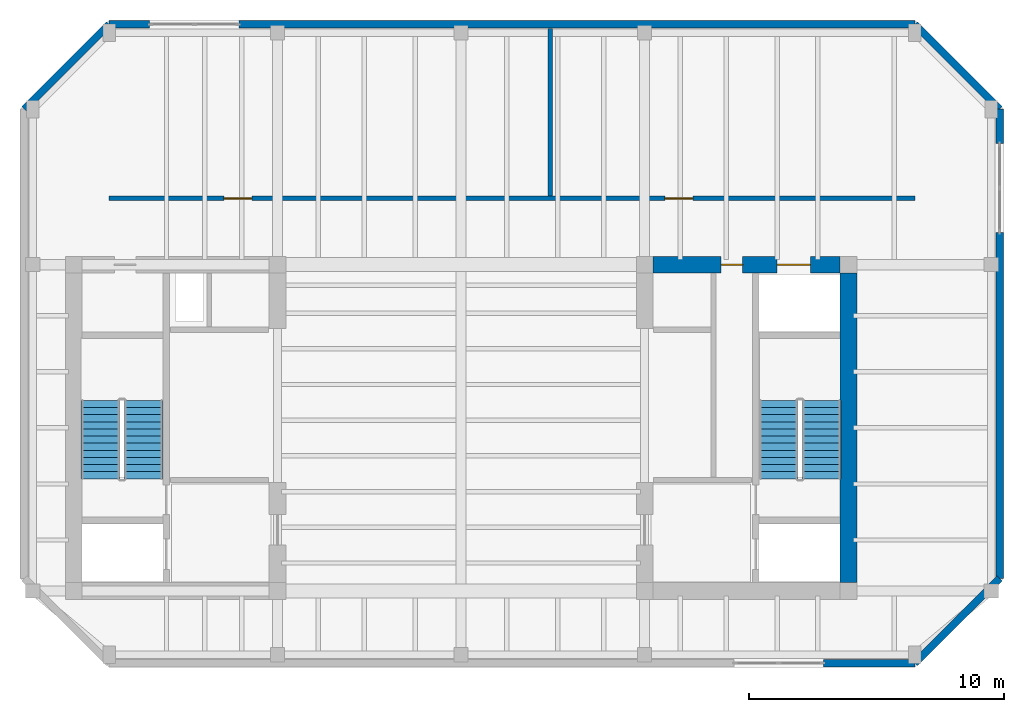
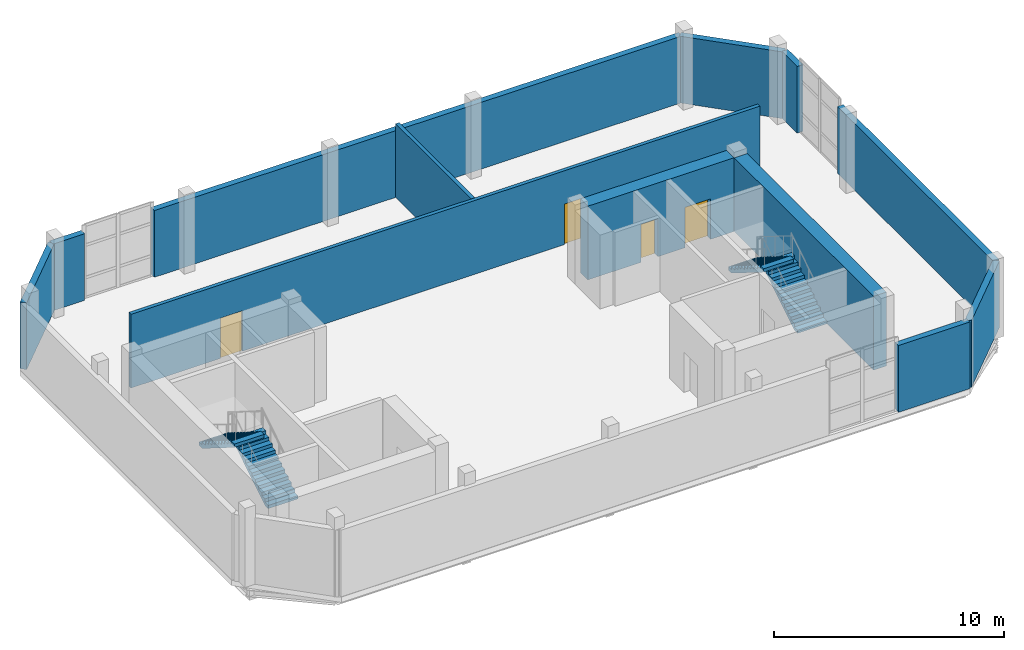
# One storey, part 6 of 7: 12 walls, 4 doors, 4 stair flights, 4 openings, 2 elements without a shape of their own.
"""IFC4 building model written with IfcOpenShell, lengths in metres."""

import ifcopenshell
import ifcopenshell.guid

model = None  # the IFC model being written
_history = None  # IfcOwnerHistory: only IFC2X3 demands one
_inside = {}  # id of a spatial element -> (the spatial element, [elements in it])
_under = {}  # id of a project, library or spatial element -> (it, [spatial elements below it])
_declared = {}  # id of a project -> (the project, [libraries it declares])
_typed = {}  # id of a type object -> (the type object, [elements of that type])
_made_of = {}  # id of a material, layer set ... -> (it, [elements and type objects made of it])


def new_model(schema):
    """Start an empty IFC model of exactly this schema.

    Asked for "IFC4X3", IfcOpenShell would pick the latest addendum, in which some entities
    have other attributes; the version numbers below select the first issue.
    IFC2X3 requires an IfcOwnerHistory on every rooted entity: one is made here for all.
    """
    global model, _history
    if schema == "IFC4X3":
        model = ifcopenshell.file(schema_version=(4, 3, 0, 0))
    else:
        model = ifcopenshell.file(schema=schema)
    _inside.clear()
    _under.clear()
    _declared.clear()
    _typed.clear()
    _made_of.clear()
    _history = None
    if model.schema == "IFC2X3":
        org = make("IfcOrganization", Name="unknown")
        user = make(
            "IfcPersonAndOrganization",
            ThePerson=make("IfcPerson", FamilyName="unknown"),
            TheOrganization=org,
        )
        app = make(
            "IfcApplication",
            ApplicationDeveloper=org,
            Version="unknown",
            ApplicationFullName="unknown",
            ApplicationIdentifier="unknown",
        )
        _history = make(
            "IfcOwnerHistory",
            OwningUser=user,
            OwningApplication=app,
            ChangeAction="ADDED",
            CreationDate=0,
        )
    return model


def make(cls, **values):
    """One entity of the class cls with the attributes given. An attribute that is None is left unset."""
    return model.create_entity(
        cls, **{name: value for name, value in values.items() if value is not None}
    )


def rooted(cls, **values):
    """An entity with a GlobalId (a new one), such as an element, a storey or a relation."""
    return make(cls, GlobalId=ifcopenshell.guid.new(), OwnerHistory=_history, **values)


def si_unit(unit_type, name, prefix=None):
    """IfcSIUnit, for example si_unit("LENGTHUNIT", "METRE", prefix="MILLI")."""
    return make("IfcSIUnit", UnitType=unit_type, Prefix=prefix, Name=name)


def assignment(units):
    """IfcUnitAssignment: the units of a project."""
    return None if units is None else make("IfcUnitAssignment", Units=units)


def point(xyz):
    """IfcCartesianPoint."""
    return None if xyz is None else make("IfcCartesianPoint", Coordinates=xyz)


def direction(xyz):
    """IfcDirection."""
    return None if xyz is None else make("IfcDirection", DirectionRatios=xyz)


def frame(location, z_axis=None, x_axis=None):
    """IfcAxis2Placement3D, a coordinate frame: its origin and axes. An axis left out is left unset."""
    return make(
        "IfcAxis2Placement3D",
        Location=point(location),
        Axis=direction(z_axis),
        RefDirection=direction(x_axis),
    )


def frame_2d(location, x_axis=None):
    """IfcAxis2Placement2D, a coordinate frame in the plane: its origin and x axis."""
    return make(
        "IfcAxis2Placement2D", Location=point(location), RefDirection=direction(x_axis)
    )


def origin():
    """The frame at (0, 0, 0) with its axes left unset."""
    return frame((0.0, 0.0, 0.0))


def place(relative_to, where):
    """IfcLocalPlacement: puts the frame where relative to a parent placement (None: the world)."""
    return make(
        "IfcLocalPlacement", PlacementRelTo=relative_to, RelativePlacement=where
    )


def context(
    kind, dimensions, precision=None, world=None, true_north=None, identifier=None
):
    """IfcGeometricRepresentationContext, for example the 3D "Model" context."""
    return make(
        "IfcGeometricRepresentationContext",
        ContextIdentifier=identifier,
        ContextType=kind,
        CoordinateSpaceDimension=dimensions,
        Precision=precision,
        WorldCoordinateSystem=world,
        TrueNorth=true_north,
    )


def subcontext(parent, identifier, kind, view, scale=None):
    """IfcGeometricRepresentationSubContext, for example "Body" below "Model"."""
    return make(
        "IfcGeometricRepresentationSubContext",
        ContextIdentifier=identifier,
        ContextType=kind,
        ParentContext=parent,
        TargetScale=scale,
        TargetView=view,
    )


def project(units=None, contexts=None):
    """IfcProject with its units and contexts."""
    return rooted(
        "IfcProject",
        Name="project",
        RepresentationContexts=contexts,
        UnitsInContext=assignment(units),
    )


def spatial(cls, under=None, at=None, **own):
    """A site, building, storey or space (cls), placed at a placement, below another one or the project."""
    s = rooted(cls, ObjectPlacement=at, **own)
    if under is not None:
        _under.setdefault(under.id(), (under, []))[1].append(s)
    return s


def polyline(points):
    """IfcPolyline through the points."""
    return make("IfcPolyline", Points=[point(p) for p in points])


def profile(cls, at=None, kind="AREA", **sizes):
    """A parametric profile (cls). Its sizes go by their IFC names, for example OverallWidth=200.0."""
    return make(cls, ProfileType=kind, Position=at, **sizes)


def rectangle(**sizes):
    """IfcRectangleProfileDef."""
    return profile("IfcRectangleProfileDef", **sizes)


def outline(outer, holes=None, kind="AREA"):
    """IfcArbitraryClosedProfileDef: a profile drawn as a closed curve; with holes, ...WithVoids."""
    if holes is None:
        return make("IfcArbitraryClosedProfileDef", ProfileType=kind, OuterCurve=outer)
    return make(
        "IfcArbitraryProfileDefWithVoids",
        ProfileType=kind,
        OuterCurve=outer,
        InnerCurves=holes,
    )


def extrude(swept, where, along, depth):
    """IfcExtrudedAreaSolid: the profile swept, set in the frame where, extruded along a direction by depth."""
    return make(
        "IfcExtrudedAreaSolid",
        SweptArea=swept,
        Position=where,
        ExtrudedDirection=direction(along),
        Depth=depth,
    )


def shape(context_of_items, identifier, shape_type, items):
    """IfcShapeRepresentation: the items that make up one representation, for example the "Body"."""
    return make(
        "IfcShapeRepresentation",
        ContextOfItems=context_of_items,
        RepresentationIdentifier=identifier,
        RepresentationType=shape_type,
        Items=items,
    )


def material(Name=None, Category=None):
    """IfcMaterial."""
    return make("IfcMaterial", Name=Name, Category=Category)


def layer(
    of_material, thickness, ventilated=None, Name=None, Category=None, Priority=None
):
    """IfcMaterialLayer: one layer of a wall or slab, of a material (None: an air gap)."""
    return make(
        "IfcMaterialLayer",
        Material=of_material,
        LayerThickness=thickness,
        IsVentilated=ventilated,
        Name=Name,
        Category=Category,
        Priority=Priority,
    )


def layer_set(layers, Name=None):
    """IfcMaterialLayerSet."""
    return make("IfcMaterialLayerSet", MaterialLayers=layers, LayerSetName=Name)


def made_of(thing, what):
    """Note that an element or type object is made of a material, layer set ...; save() writes the relation."""
    if what is not None:
        _made_of.setdefault(what.id(), (what, []))[1].append(thing)
    return thing


def type_object(cls, material=None, **own):
    """A type object (cls), such as IfcWallType, which elements share."""
    return made_of(rooted(cls, **own), material)


def element(
    cls,
    number,
    at=None,
    inside=None,
    cuts=None,
    type_object=None,
    material=None,
    context=None,
    identifier="Body",
    shape_type=None,
    held_by="IfcProductDefinitionShape",
    body=None,
    shapes=None,
    **own,
):
    """One element of the class cls, such as IfcWall. Its Tag is "e" and its number.

    at: its placement. inside: the storey or other place that contains it. cuts: it is an
    opening in that element (IfcRelVoidsElement). A single representation is given by context,
    identifier, shape_type and body (its items); several are given by shapes. held_by: the class
    of the entity that holds the representations. save() writes the other relations.
    """
    e = rooted(cls, Tag="e%d" % number, ObjectPlacement=at, **own)
    if body is not None:
        shapes = [shape(context, identifier, shape_type, body)]
    if shapes is not None:
        e.Representation = make(held_by, Representations=shapes)
    if inside is not None:
        _inside.setdefault(inside.id(), (inside, []))[1].append(e)
    if cuts is not None:
        rooted(
            "IfcRelVoidsElement", RelatingBuildingElement=cuts, RelatedOpeningElement=e
        )
    if type_object is not None:
        _typed.setdefault(type_object.id(), (type_object, []))[1].append(e)
    return made_of(e, material)


def fill(opening, filler):
    """IfcRelFillsElement: the door or window that sits in an opening."""
    return rooted(
        "IfcRelFillsElement",
        RelatingOpeningElement=opening,
        RelatedBuildingElement=filler,
    )


def aggregate(whole, parts):
    """IfcRelAggregates: a whole, such as a stair, and the parts it consists of."""
    return rooted("IfcRelAggregates", RelatingObject=whole, RelatedObjects=parts)


def save(model, path):
    """Write the relations noted so far, then the file.

    IfcRelAggregates (storeys below a building ...), IfcRelContainedInSpatialStructure (elements
    in a storey), IfcRelDefinesByType, IfcRelAssociatesMaterial and IfcRelDeclares: one each for
    every whole, place, type object, material and project.
    """
    for whole, parts in _under.values():
        aggregate(whole, parts)
    for where, things in _inside.values():
        rooted(
            "IfcRelContainedInSpatialStructure",
            RelatedElements=things,
            RelatingStructure=where,
        )
    for kind, things in _typed.values():
        rooted("IfcRelDefinesByType", RelatedObjects=things, RelatingType=kind)
    for what, things in _made_of.values():
        rooted("IfcRelAssociatesMaterial", RelatedObjects=things, RelatingMaterial=what)
    for by, libraries in _declared.values():
        rooted("IfcRelDeclares", RelatingContext=by, RelatedDefinitions=libraries)
    model.write(path)


model = new_model("IFC4")

# Units and contexts
model_context = context("Model", 3, precision=1e-05, world=origin(), true_north=direction((0.0, 1.0)))
body_context = subcontext(model_context, "Body", "Model", "MODEL_VIEW")
ifc_project = project(units=[si_unit("LENGTHUNIT", "METRE"), si_unit("AREAUNIT", "SQUARE_METRE"), si_unit("VOLUMEUNIT", "CUBIC_METRE"), si_unit("PLANEANGLEUNIT", "RADIAN"), si_unit("MASSUNIT", "GRAM", prefix="KILO")], contexts=[model_context])

# Site, building, storey
site_placement = place(None, origin())
site = spatial("IfcSite", under=ifc_project, at=site_placement, CompositionType="ELEMENT")
building_placement = place(site_placement, origin())
building = spatial("IfcBuilding", under=site, at=building_placement, Name="Kranthara Brick Stack", CompositionType="ELEMENT")
storey_placement = place(building_placement, frame((0.0, 0.0, 304.800048828125)))
storey = spatial("IfcBuildingStorey", under=building, at=storey_placement, Name="L80", CompositionType="ELEMENT", Elevation=304.800048828125)

# Walls
ifc_material_1 = material(Name="Precast concrete C45/55", Category="concrete")
ifc_layer_1 = layer(ifc_material_1, 0.300048828125)
ifc_layer_set_1 = layer_set([ifc_layer_1], Name="Precast concrete C45/55")
wall_type_1 = type_object("IfcWallType", Name="WL-BRK-CRWN-300", PredefinedType="STANDARD", material=ifc_layer_set_1)
wall_1_placement = place(storey_placement, frame((45.800048828125, 17.969970703125, 0.0), z_axis=(0.0, 0.0, 1.0), x_axis=(-1.0, 0.0, 0.0)))
element("IfcWall", 1, at=wall_1_placement, inside=storey, type_object=wall_type_1, Name="L80 Exterior Brick Facade Wall SOUTH 1", PredefinedType="STANDARD", context=body_context, shape_type="SweptSolid", body=[
    extrude(rectangle(XDim=3.587158203125, YDim=0.300048828125, at=frame_2d((1.79345703125, 0.0))), origin(), (0.0, 0.0, 1.0), 3.544921875),
])
wall_2_placement = place(storey_placement, frame((10.8701171875, 39.699951171875, 0.0), z_axis=(0.0, 0.0, 1.0), x_axis=(0.707080859425, 0.707132701998, 0.0)))
element("IfcWall", 2, at=wall_2_placement, inside=storey, type_object=wall_type_1, Name="L80 Exterior Brick Facade Wall NW 1", PredefinedType="STANDARD", context=body_context, shape_type="SweptSolid", body=[
    extrude(rectangle(XDim=4.709228515625, YDim=0.300048828125, at=frame_2d((2.3544921875, 0.0))), origin(), (0.0, 0.0, 1.0), 3.544921875),
])
wall_3_placement = place(storey_placement, frame((14.199951171875, 43.030029296875, 0.0), z_axis=(0.0, 0.0, 1.0), x_axis=(1.0, 0.0, 0.0)))
element("IfcWall", 3, at=wall_3_placement, inside=storey, type_object=wall_type_1, Name="L80 Exterior Brick Facade Wall NORTH 1", PredefinedType="STANDARD", context=body_context, shape_type="SweptSolid", body=[
    extrude(rectangle(XDim=1.588134765625, YDim=0.300048828125, at=frame_2d((0.7939453125, 0.0))), origin(), (0.0, 0.0, 1.0), 3.544921875),
])
wall_4_placement = place(storey_placement, frame((19.2880859375, 43.030029296875, 0.0), z_axis=(0.0, 0.0, 1.0), x_axis=(1.0, 0.0, 0.0)))
element("IfcWall", 4, at=wall_4_placement, inside=storey, type_object=wall_type_1, Name="L80 Exterior Brick Facade Wall NORTH 2", PredefinedType="STANDARD", context=body_context, shape_type="SweptSolid", body=[
    extrude(rectangle(XDim=26.511962890625, YDim=0.300048828125, at=frame_2d((13.255859375, 0.0))), origin(), (0.0, 0.0, 1.0), 3.544921875),
])
wall_5_placement = place(storey_placement, frame((45.800048828125, 43.030029296875, 0.0), z_axis=(0.0, 0.0, 1.0), x_axis=(0.707080859425, -0.707132701998, 0.0)))
element("IfcWall", 5, at=wall_5_placement, inside=storey, type_object=wall_type_1, Name="L80 Exterior Brick Facade Wall NE 1", PredefinedType="STANDARD", context=body_context, shape_type="SweptSolid", body=[
    extrude(rectangle(XDim=4.709228515625, YDim=0.300048828125, at=frame_2d((2.3544921875, 0.0))), origin(), (0.0, 0.0, 1.0), 3.544921875),
])
wall_6_placement = place(storey_placement, frame((49.1298828125, 39.699951171875, 0.0), z_axis=(0.0, 0.0, 1.0), x_axis=(0.0, -1.0, 0.0)))
element("IfcWall", 6, at=wall_6_placement, inside=storey, type_object=wall_type_1, Name="L80 Exterior Brick Facade Wall EAST 1", PredefinedType="STANDARD", context=body_context, shape_type="SweptSolid", body=[
    extrude(rectangle(XDim=1.337890625, YDim=0.300048828125, at=frame_2d((0.6689453125, 0.0))), origin(), (0.0, 0.0, 1.0), 3.544921875),
])
wall_7_placement = place(storey_placement, frame((49.1298828125, 34.862060546875, 0.0), z_axis=(0.0, 0.0, 1.0), x_axis=(0.0, -1.0, 0.0)))
element("IfcWall", 7, at=wall_7_placement, inside=storey, type_object=wall_type_1, Name="L80 Exterior Brick Facade Wall EAST 2", PredefinedType="STANDARD", context=body_context, shape_type="SweptSolid", body=[
    extrude(rectangle(XDim=13.56201171875, YDim=0.300048828125, at=frame_2d((6.781005859375, 0.0))), origin(), (0.0, 0.0, 1.0), 3.544921875),
])
wall_8_placement = place(storey_placement, frame((49.1298828125, 21.300048828125, 0.0), z_axis=(0.0, 0.0, 1.0), x_axis=(-0.707080859425, -0.707132701998, 0.0)))
element("IfcWall", 8, at=wall_8_placement, inside=storey, type_object=wall_type_1, Name="L80 Exterior Brick Facade Wall SE 1", PredefinedType="STANDARD", context=body_context, shape_type="SweptSolid", body=[
    extrude(rectangle(XDim=4.709228515625, YDim=0.300048828125, at=frame_2d((2.3544921875, 0.0))), origin(), (0.0, 0.0, 1.0), 3.544921875),
])
ifc_material_2 = material(Name="Concrete C60/75", Category="concrete")
ifc_layer_2 = layer(ifc_material_2, 0.64990234375)
ifc_layer_set_2 = layer_set([ifc_layer_2], Name="Concrete C60/75")
wall_type_2 = type_object("IfcWallType", Name="WL-CORE-650", PredefinedType="SHEAR", material=ifc_layer_set_2)
wall_9_placement = place(storey_placement, frame((43.199951171875, 21.1298828125, 0.0), z_axis=(0.0, 0.0, 1.0), x_axis=(0.0, 1.0, 0.0)))
element("IfcWall", 9, at=wall_9_placement, inside=storey, type_object=wall_type_2, Name="L80 East Core Shear Wall East", PredefinedType="SHEAR", context=body_context, shape_type="SweptSolid", body=[
    extrude(rectangle(XDim=12.14013671875, YDim=0.64990234375, at=frame_2d((6.070068359375, 0.0))), origin(), (0.0, 0.0, 1.0), 3.919921875),
])

# Wall, openings, doors
wall_10_placement = place(storey_placement, frame((35.530029296875, 33.60009765625, 0.0), z_axis=(0.0, 0.0, 1.0), x_axis=(1.0, 0.0, 0.0)))
wall_10 = element("IfcWall", 10, at=wall_10_placement, inside=storey, type_object=wall_type_2, Name="L80 East Core Shear Wall North", PredefinedType="SHEAR", context=body_context, shape_type="SweptSolid", body=[
    extrude(rectangle(XDim=7.340087890625, YDim=0.64990234375, at=frame_2d((3.669921875, 0.0))), origin(), (0.0, 0.0, 1.0), 3.919921875),
])
opening_1_placement = place(wall_10_placement, frame((4.8701171875, 0.0, 0.0)))
opening_1 = element("IfcOpeningElement", 11, at=opening_1_placement, cuts=wall_10, Name="Opening LD03", PredefinedType="OPENING", context=body_context, shape_type="SweptSolid", body=[
    extrude(rectangle(XDim=1.300048828125, YDim=2.14990234375, at=frame_2d((0.64990234375, 1.074951171875))), frame((0.0, 0.3349609375, 0.0), z_axis=(0.0, -1.0, 0.0), x_axis=(1.0, 0.0, 0.0)), (0.0, 0.0, 1.0), 0.669921875),
])
opening_2_placement = place(wall_10_placement, frame((2.669921875, 0.0, 0.0)))
opening_2 = element("IfcOpeningElement", 12, at=opening_2_placement, cuts=wall_10, Name="Opening D10", PredefinedType="OPENING", context=body_context, shape_type="SweptSolid", body=[
    extrude(rectangle(XDim=0.85009765625, YDim=2.02001953125, at=frame_2d((0.425048828125, 1.010009765625))), frame((0.0, 0.3349609375, 0.0), z_axis=(0.0, -1.0, 0.0), x_axis=(1.0, 0.0, 0.0)), (0.0, 0.0, 1.0), 0.669921875),
])
ifc_material_3 = material(Name="Stainless steel sliding landing door", Category="steel")
door_type_1 = type_object("IfcDoorType", Name="DR-LD-SV1300", OperationType="DOUBLE_DOOR_SLIDING", PredefinedType="DOOR", material=ifc_material_3)
door_1_placement = place(opening_1_placement, origin())
door_1 = element("IfcDoor", 13, at=door_1_placement, inside=storey, type_object=door_type_1, Name="L80 Stretcher Service Lift SV-01 Landing Door", OperationType="DOUBLE_DOOR_SLIDING", OverallHeight=2.14990234375, OverallWidth=1.300048828125, PredefinedType="DOOR", context=body_context, shape_type="SweptSolid", body=[
    extrude(rectangle(XDim=1.300048828125, YDim=2.14990234375, at=frame_2d((0.64990234375, 1.074951171875))), frame((0.0, 0.02490234375, 0.0), z_axis=(0.0, -1.0, 0.0), x_axis=(1.0, 0.0, 0.0)), (0.0, 0.0, 1.0), 0.050048828125),
])
fill(opening_1, door_1)
ifc_material_4 = material(Name="Solid-core hardwood timber leaf in steel frame", Category="steel")
door_type_2 = type_object("IfcDoorType", Name="DR-RSR-850", OperationType="NOTDEFINED", PredefinedType="DOOR", material=ifc_material_4)
door_2_placement = place(opening_2_placement, origin())
door_2 = element("IfcDoor", 14, at=door_2_placement, inside=storey, type_object=door_type_2, Name="L80 East Core Service Room Door", OperationType="SINGLE_SWING_LEFT", OverallHeight=2.02001953125, OverallWidth=0.85009765625, PredefinedType="DOOR", context=body_context, shape_type="SweptSolid", body=[
    extrude(rectangle(XDim=0.85009765625, YDim=2.02001953125, at=frame_2d((0.425048828125, 1.010009765625))), frame((0.0, 0.02490234375, 0.0), z_axis=(0.0, -1.0, 0.0), x_axis=(1.0, 0.0, 0.0)), (0.0, 0.0, 1.0), 0.050048828125),
])
fill(opening_2, door_2)

ifc_material_5 = material(Name="Gypsum plasterboard on acoustic twin stud", Category="other")
ifc_layer_3 = layer(ifc_material_5, 0.179931640625)
ifc_layer_set_3 = layer_set([ifc_layer_3], Name="Gypsum plasterboard on acoustic twin stud")
wall_type_3 = type_object("IfcWallType", Name="WL-PART-180", PredefinedType="PARTITIONING", material=ifc_layer_set_3)
wall_11_placement = place(storey_placement, frame((14.199951171875, 36.199951171875, 0.0), z_axis=(0.0, 0.0, 1.0), x_axis=(1.0, 0.0, 0.0)))
wall_11 = element("IfcWall", 15, at=wall_11_placement, inside=storey, type_object=wall_type_3, Name="L80 Interior Partition 001", PredefinedType="PARTITIONING", context=body_context, shape_type="SweptSolid", body=[
    extrude(rectangle(XDim=31.60009765625, YDim=0.179931640625, at=frame_2d((15.800048828125, 0.0))), origin(), (0.0, 0.0, 1.0), 3.919921875),
])
opening_3_placement = place(wall_11_placement, frame((4.5, 0.0, 0.0)))
opening_3 = element("IfcOpeningElement", 16, at=opening_3_placement, cuts=wall_11, Name="Opening D07", PredefinedType="OPENING", context=body_context, shape_type="SweptSolid", body=[
    extrude(rectangle(XDim=1.10009765625, YDim=2.14990234375, at=frame_2d((0.550048828125, 1.074951171875))), frame((0.0, 0.099853515625, 0.0), z_axis=(0.0, -1.0, 0.0), x_axis=(1.0, 0.0, 0.0)), (0.0, 0.0, 1.0), 0.199951171875),
])
opening_4_placement = place(wall_11_placement, frame((21.800048828125, 0.0, 0.0)))
opening_4 = element("IfcOpeningElement", 17, at=opening_4_placement, cuts=wall_11, Name="Opening D07", PredefinedType="OPENING", context=body_context, shape_type="SweptSolid", body=[
    extrude(rectangle(XDim=1.10009765625, YDim=2.14990234375, at=frame_2d((0.550048828125, 1.074951171875))), frame((0.0, 0.099853515625, 0.0), z_axis=(0.0, -1.0, 0.0), x_axis=(1.0, 0.0, 0.0)), (0.0, 0.0, 1.0), 0.199951171875),
])
ifc_material_6 = material(Name="Solid-core hardwood timber leaf in steel frame", Category="steel")
door_type_3 = type_object("IfcDoorType", Name="DR-FD-1100", OperationType="NOTDEFINED", PredefinedType="DOOR", material=ifc_material_6)
door_3_placement = place(opening_3_placement, origin())
door_3 = element("IfcDoor", 18, at=door_3_placement, inside=storey, type_object=door_type_3, Name="L80 Crown Cooling Plant Door 01", OperationType="SINGLE_SWING_LEFT", OverallHeight=2.14990234375, OverallWidth=1.10009765625, PredefinedType="DOOR", context=body_context, shape_type="SweptSolid", body=[
    extrude(rectangle(XDim=1.10009765625, YDim=2.14990234375, at=frame_2d((0.550048828125, 1.074951171875))), frame((0.0, 0.02490234375, 0.0), z_axis=(0.0, -1.0, 0.0), x_axis=(1.0, 0.0, 0.0)), (0.0, 0.0, 1.0), 0.050048828125),
])
fill(opening_3, door_3)
door_4_placement = place(opening_4_placement, origin())
door_4 = element("IfcDoor", 19, at=door_4_placement, inside=storey, type_object=door_type_3, Name="L80 Crown Lift Machine Door 02", OperationType="SINGLE_SWING_RIGHT", OverallHeight=2.14990234375, OverallWidth=1.10009765625, PredefinedType="DOOR", context=body_context, shape_type="SweptSolid", body=[
    extrude(rectangle(XDim=1.10009765625, YDim=2.14990234375, at=frame_2d((0.550048828125, 1.074951171875))), frame((0.0, 0.02490234375, 0.0), z_axis=(0.0, -1.0, 0.0), x_axis=(1.0, 0.0, 0.0)), (0.0, 0.0, 1.0), 0.050048828125),
])
fill(opening_4, door_4)

# Wall
wall_12_placement = place(storey_placement, frame((31.5, 36.300048828125, 0.0), z_axis=(0.0, 0.0, 1.0), x_axis=(0.0, 1.0, 0.0)))
element("IfcWall", 20, at=wall_12_placement, inside=storey, type_object=wall_type_3, Name="L80 Interior Partition 002", PredefinedType="PARTITIONING", context=body_context, shape_type="SweptSolid", body=[
    extrude(rectangle(XDim=6.574951171875, YDim=0.179931640625, at=frame_2d((3.28759765625, 0.0))), origin(), (0.0, 0.0, 1.0), 3.919921875),
])

# Stair, stair flights
ifc_material_7 = material(Name="Concrete C45/55", Category="concrete")
stair_type = type_object("IfcStairType", Name="ST-CORE-24R", PredefinedType="HALF_TURN_STAIR", material=ifc_material_7)
stair_1_placement = place(storey_placement, origin())
stair_1 = element("IfcStair", 21, at=stair_1_placement, inside=storey, type_object=stair_type, Name="L80 West Core Protected Exit Stair ST01", PredefinedType="HALF_TURN_STAIR")
ifc_material_8 = material(Name="Concrete C45/55", Category="concrete")
stair_flight_type = type_object("IfcStairFlightType", Name="SFL-RC-24R", PredefinedType="STRAIGHT", material=ifc_material_8)
stair_flight_1_placement = place(storey_placement, frame((15.550048828125, 25.199951171875, 0.0), z_axis=(0.0, 0.0, 1.0), x_axis=(0.0, 1.0, 0.0)))
stair_flight_1 = element("IfcStairFlight", 22, at=stair_flight_1_placement, type_object=stair_flight_type, Name="ST01 flight 1", NumberOfRisers=12, NumberOfTreads=11, PredefinedType="STRAIGHT", RiserHeight=0.175, TreadLength=0.28, context=body_context, shape_type="SweptSolid", body=[
    extrude(outline(polyline([(0.0, 0.0), (0.0, 0.175048828125), (0.280029296875, 0.175048828125), (0.280029296875, 0.35009765625), (0.56005859375, 0.35009765625), (0.56005859375, 0.52490234375), (0.840087890625, 0.52490234375), (0.840087890625, 0.699951171875), (1.1201171875, 0.699951171875), (1.1201171875, 0.875), (1.39990234375, 0.875), (1.39990234375, 1.050048828125), (1.679931640625, 1.050048828125), (1.679931640625, 1.22509765625), (1.9599609375, 1.22509765625), (1.9599609375, 1.39990234375), (2.239990234375, 1.39990234375), (2.239990234375, 1.574951171875), (2.52001953125, 1.574951171875), (2.52001953125, 1.75), (2.800048828125, 1.75), (2.800048828125, 1.925048828125), (3.080078125, 1.925048828125), (3.080078125, 2.10009765625), (3.080078125, 1.748291015625), (0.28271484375, 0.0), (0.0, 0.0)])), frame((0.0, 0.75, 0.0), z_axis=(0.0, -1.0, 0.0), x_axis=(1.0, 0.0, 0.0)), (0.0, 0.0, 1.0), 1.5),
])
stair_flight_2_placement = place(storey_placement, frame((13.85009765625, 28.280029296875, 2.099853515625), z_axis=(0.0, 0.0, 1.0), x_axis=(0.0, -1.0, 0.0)))
stair_flight_2 = element("IfcStairFlight", 23, at=stair_flight_2_placement, type_object=stair_flight_type, Name="ST01 flight 2", NumberOfRisers=12, NumberOfTreads=11, PredefinedType="STRAIGHT", RiserHeight=0.175, TreadLength=0.28, context=body_context, shape_type="SweptSolid", body=[
    extrude(outline(polyline([(0.0, 0.0), (0.0, 0.175048828125), (0.280029296875, 0.175048828125), (0.280029296875, 0.35009765625), (0.56005859375, 0.35009765625), (0.56005859375, 0.52490234375), (0.840087890625, 0.52490234375), (0.840087890625, 0.699951171875), (1.1201171875, 0.699951171875), (1.1201171875, 0.875), (1.39990234375, 0.875), (1.39990234375, 1.050048828125), (1.679931640625, 1.050048828125), (1.679931640625, 1.22509765625), (1.9599609375, 1.22509765625), (1.9599609375, 1.39990234375), (2.239990234375, 1.39990234375), (2.239990234375, 1.574951171875), (2.52001953125, 1.574951171875), (2.52001953125, 1.75), (2.800048828125, 1.75), (2.800048828125, 1.925048828125), (3.080078125, 1.925048828125), (3.080078125, 2.10009765625), (3.080078125, 1.748291015625), (0.28271484375, 0.0), (0.0, 0.0)])), frame((0.0, 0.75, 0.0), z_axis=(0.0, -1.0, 0.0), x_axis=(1.0, 0.0, 0.0)), (0.0, 0.0, 1.0), 1.5),
])
aggregate(stair_1, [stair_flight_1, stair_flight_2])

stair_2_placement = place(storey_placement, origin())
stair_2 = element("IfcStair", 24, at=stair_2_placement, inside=storey, type_object=stair_type, Name="L80 East Core Protected Exit Stair ST02", PredefinedType="HALF_TURN_STAIR")
stair_flight_3_placement = place(storey_placement, frame((42.14990234375, 25.199951171875, 0.0), z_axis=(0.0, 0.0, 1.0), x_axis=(0.0, 1.0, 0.0)))
stair_flight_3 = element("IfcStairFlight", 25, at=stair_flight_3_placement, type_object=stair_flight_type, Name="ST02 flight 1", NumberOfRisers=12, NumberOfTreads=11, PredefinedType="STRAIGHT", RiserHeight=0.175, TreadLength=0.28, context=body_context, shape_type="SweptSolid", body=[
    extrude(outline(polyline([(0.0, 0.0), (0.0, 0.175048828125), (0.280029296875, 0.175048828125), (0.280029296875, 0.35009765625), (0.56005859375, 0.35009765625), (0.56005859375, 0.52490234375), (0.840087890625, 0.52490234375), (0.840087890625, 0.699951171875), (1.1201171875, 0.699951171875), (1.1201171875, 0.875), (1.39990234375, 0.875), (1.39990234375, 1.050048828125), (1.679931640625, 1.050048828125), (1.679931640625, 1.22509765625), (1.9599609375, 1.22509765625), (1.9599609375, 1.39990234375), (2.239990234375, 1.39990234375), (2.239990234375, 1.574951171875), (2.52001953125, 1.574951171875), (2.52001953125, 1.75), (2.800048828125, 1.75), (2.800048828125, 1.925048828125), (3.080078125, 1.925048828125), (3.080078125, 2.10009765625), (3.080078125, 1.748291015625), (0.28271484375, 0.0), (0.0, 0.0)])), frame((0.0, 0.75, 0.0), z_axis=(0.0, -1.0, 0.0), x_axis=(1.0, 0.0, 0.0)), (0.0, 0.0, 1.0), 1.5),
])
stair_flight_4_placement = place(storey_placement, frame((40.449951171875, 28.280029296875, 2.099853515625), z_axis=(0.0, 0.0, 1.0), x_axis=(0.0, -1.0, 0.0)))
stair_flight_4 = element("IfcStairFlight", 26, at=stair_flight_4_placement, type_object=stair_flight_type, Name="ST02 flight 2", NumberOfRisers=12, NumberOfTreads=11, PredefinedType="STRAIGHT", RiserHeight=0.175, TreadLength=0.28, context=body_context, shape_type="SweptSolid", body=[
    extrude(outline(polyline([(0.0, 0.0), (0.0, 0.175048828125), (0.280029296875, 0.175048828125), (0.280029296875, 0.35009765625), (0.56005859375, 0.35009765625), (0.56005859375, 0.52490234375), (0.840087890625, 0.52490234375), (0.840087890625, 0.699951171875), (1.1201171875, 0.699951171875), (1.1201171875, 0.875), (1.39990234375, 0.875), (1.39990234375, 1.050048828125), (1.679931640625, 1.050048828125), (1.679931640625, 1.22509765625), (1.9599609375, 1.22509765625), (1.9599609375, 1.39990234375), (2.239990234375, 1.39990234375), (2.239990234375, 1.574951171875), (2.52001953125, 1.574951171875), (2.52001953125, 1.75), (2.800048828125, 1.75), (2.800048828125, 1.925048828125), (3.080078125, 1.925048828125), (3.080078125, 2.10009765625), (3.080078125, 1.748291015625), (0.28271484375, 0.0), (0.0, 0.0)])), frame((0.0, 0.75, 0.0), z_axis=(0.0, -1.0, 0.0), x_axis=(1.0, 0.0, 0.0)), (0.0, 0.0, 1.0), 1.5),
])
aggregate(stair_2, [stair_flight_3, stair_flight_4])

save(model, "model.ifc")
